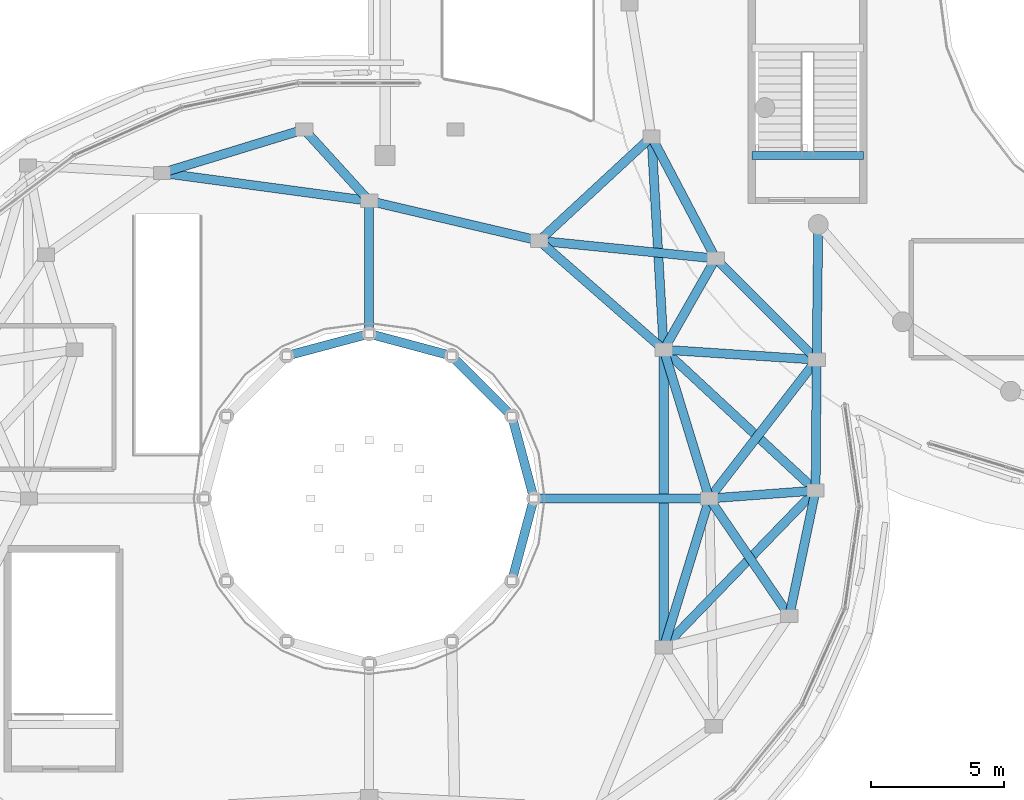
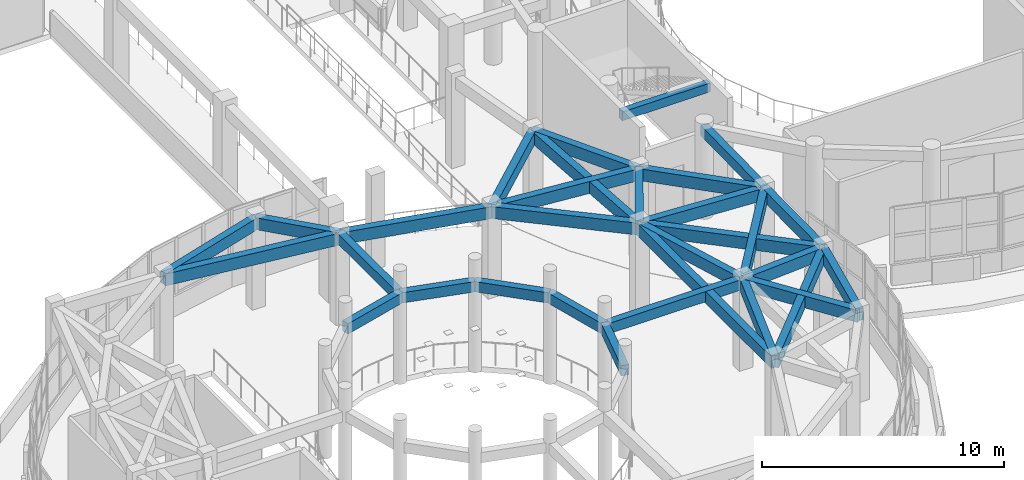
# One storey, part 14 of 98: 31 beams.
"""IFC4 building model written with IfcOpenShell, lengths in metres."""

import ifcopenshell
import ifcopenshell.guid

model = None  # the IFC model being written
_history = None  # IfcOwnerHistory: only IFC2X3 demands one
_inside = {}  # id of a spatial element -> (the spatial element, [elements in it])
_under = {}  # id of a project, library or spatial element -> (it, [spatial elements below it])
_declared = {}  # id of a project -> (the project, [libraries it declares])
_typed = {}  # id of a type object -> (the type object, [elements of that type])
_made_of = {}  # id of a material, layer set ... -> (it, [elements and type objects made of it])


def new_model(schema):
    """Start an empty IFC model of exactly this schema.

    Asked for "IFC4X3", IfcOpenShell would pick the latest addendum, in which some entities
    have other attributes; the version numbers below select the first issue.
    IFC2X3 requires an IfcOwnerHistory on every rooted entity: one is made here for all.
    """
    global model, _history
    if schema == "IFC4X3":
        model = ifcopenshell.file(schema_version=(4, 3, 0, 0))
    else:
        model = ifcopenshell.file(schema=schema)
    _inside.clear()
    _under.clear()
    _declared.clear()
    _typed.clear()
    _made_of.clear()
    _history = None
    if model.schema == "IFC2X3":
        org = make("IfcOrganization", Name="unknown")
        user = make(
            "IfcPersonAndOrganization",
            ThePerson=make("IfcPerson", FamilyName="unknown"),
            TheOrganization=org,
        )
        app = make(
            "IfcApplication",
            ApplicationDeveloper=org,
            Version="unknown",
            ApplicationFullName="unknown",
            ApplicationIdentifier="unknown",
        )
        _history = make(
            "IfcOwnerHistory",
            OwningUser=user,
            OwningApplication=app,
            ChangeAction="ADDED",
            CreationDate=0,
        )
    return model


def make(cls, **values):
    """One entity of the class cls with the attributes given. An attribute that is None is left unset."""
    return model.create_entity(
        cls, **{name: value for name, value in values.items() if value is not None}
    )


def rooted(cls, **values):
    """An entity with a GlobalId (a new one), such as an element, a storey or a relation."""
    return make(cls, GlobalId=ifcopenshell.guid.new(), OwnerHistory=_history, **values)


def si_unit(unit_type, name, prefix=None):
    """IfcSIUnit, for example si_unit("LENGTHUNIT", "METRE", prefix="MILLI")."""
    return make("IfcSIUnit", UnitType=unit_type, Prefix=prefix, Name=name)


def assignment(units):
    """IfcUnitAssignment: the units of a project."""
    return None if units is None else make("IfcUnitAssignment", Units=units)


def point(xyz):
    """IfcCartesianPoint."""
    return None if xyz is None else make("IfcCartesianPoint", Coordinates=xyz)


def direction(xyz):
    """IfcDirection."""
    return None if xyz is None else make("IfcDirection", DirectionRatios=xyz)


def frame(location, z_axis=None, x_axis=None):
    """IfcAxis2Placement3D, a coordinate frame: its origin and axes. An axis left out is left unset."""
    return make(
        "IfcAxis2Placement3D",
        Location=point(location),
        Axis=direction(z_axis),
        RefDirection=direction(x_axis),
    )


def frame_2d(location, x_axis=None):
    """IfcAxis2Placement2D, a coordinate frame in the plane: its origin and x axis."""
    return make(
        "IfcAxis2Placement2D", Location=point(location), RefDirection=direction(x_axis)
    )


def origin():
    """The frame at (0, 0, 0) with its axes left unset."""
    return frame((0.0, 0.0, 0.0))


def origin_2d():
    """The frame at (0, 0) in the plane with its x axis left unset."""
    return frame_2d((0.0, 0.0))


def place(relative_to, where):
    """IfcLocalPlacement: puts the frame where relative to a parent placement (None: the world)."""
    return make(
        "IfcLocalPlacement", PlacementRelTo=relative_to, RelativePlacement=where
    )


def context(
    kind, dimensions, precision=None, world=None, true_north=None, identifier=None
):
    """IfcGeometricRepresentationContext, for example the 3D "Model" context."""
    return make(
        "IfcGeometricRepresentationContext",
        ContextIdentifier=identifier,
        ContextType=kind,
        CoordinateSpaceDimension=dimensions,
        Precision=precision,
        WorldCoordinateSystem=world,
        TrueNorth=true_north,
    )


def subcontext(parent, identifier, kind, view, scale=None):
    """IfcGeometricRepresentationSubContext, for example "Body" below "Model"."""
    return make(
        "IfcGeometricRepresentationSubContext",
        ContextIdentifier=identifier,
        ContextType=kind,
        ParentContext=parent,
        TargetScale=scale,
        TargetView=view,
    )


def project(units=None, contexts=None):
    """IfcProject with its units and contexts."""
    return rooted(
        "IfcProject",
        Name="project",
        RepresentationContexts=contexts,
        UnitsInContext=assignment(units),
    )


def spatial(cls, under=None, at=None, **own):
    """A site, building, storey or space (cls), placed at a placement, below another one or the project."""
    s = rooted(cls, ObjectPlacement=at, **own)
    if under is not None:
        _under.setdefault(under.id(), (under, []))[1].append(s)
    return s


def profile(cls, at=None, kind="AREA", **sizes):
    """A parametric profile (cls). Its sizes go by their IFC names, for example OverallWidth=200.0."""
    return make(cls, ProfileType=kind, Position=at, **sizes)


def rectangle(**sizes):
    """IfcRectangleProfileDef."""
    return profile("IfcRectangleProfileDef", **sizes)


def extrude(swept, where, along, depth):
    """IfcExtrudedAreaSolid: the profile swept, set in the frame where, extruded along a direction by depth."""
    return make(
        "IfcExtrudedAreaSolid",
        SweptArea=swept,
        Position=where,
        ExtrudedDirection=direction(along),
        Depth=depth,
    )


def shape(context_of_items, identifier, shape_type, items):
    """IfcShapeRepresentation: the items that make up one representation, for example the "Body"."""
    return make(
        "IfcShapeRepresentation",
        ContextOfItems=context_of_items,
        RepresentationIdentifier=identifier,
        RepresentationType=shape_type,
        Items=items,
    )


def material(Name=None, Category=None):
    """IfcMaterial."""
    return make("IfcMaterial", Name=Name, Category=Category)


def material_profile(
    of_material, cross_section, Name=None, Category=None, Priority=None
):
    """IfcMaterialProfile: a cross section and its material."""
    return make(
        "IfcMaterialProfile",
        Name=Name,
        Material=of_material,
        Profile=cross_section,
        Priority=Priority,
        Category=Category,
    )


def profile_set(profiles, Name=None, composite=None):
    """IfcMaterialProfileSet."""
    return make(
        "IfcMaterialProfileSet",
        Name=Name,
        MaterialProfiles=profiles,
        CompositeProfile=composite,
    )


def made_of(thing, what):
    """Note that an element or type object is made of a material, layer set ...; save() writes the relation."""
    if what is not None:
        _made_of.setdefault(what.id(), (what, []))[1].append(thing)
    return thing


def type_object(cls, material=None, **own):
    """A type object (cls), such as IfcWallType, which elements share."""
    return made_of(rooted(cls, **own), material)


def element(
    cls,
    number,
    at=None,
    inside=None,
    cuts=None,
    type_object=None,
    material=None,
    context=None,
    identifier="Body",
    shape_type=None,
    held_by="IfcProductDefinitionShape",
    body=None,
    shapes=None,
    **own,
):
    """One element of the class cls, such as IfcWall. Its Tag is "e" and its number.

    at: its placement. inside: the storey or other place that contains it. cuts: it is an
    opening in that element (IfcRelVoidsElement). A single representation is given by context,
    identifier, shape_type and body (its items); several are given by shapes. held_by: the class
    of the entity that holds the representations. save() writes the other relations.
    """
    e = rooted(cls, Tag="e%d" % number, ObjectPlacement=at, **own)
    if body is not None:
        shapes = [shape(context, identifier, shape_type, body)]
    if shapes is not None:
        e.Representation = make(held_by, Representations=shapes)
    if inside is not None:
        _inside.setdefault(inside.id(), (inside, []))[1].append(e)
    if cuts is not None:
        rooted(
            "IfcRelVoidsElement", RelatingBuildingElement=cuts, RelatedOpeningElement=e
        )
    if type_object is not None:
        _typed.setdefault(type_object.id(), (type_object, []))[1].append(e)
    return made_of(e, material)


def aggregate(whole, parts):
    """IfcRelAggregates: a whole, such as a stair, and the parts it consists of."""
    return rooted("IfcRelAggregates", RelatingObject=whole, RelatedObjects=parts)


def save(model, path):
    """Write the relations noted so far, then the file.

    IfcRelAggregates (storeys below a building ...), IfcRelContainedInSpatialStructure (elements
    in a storey), IfcRelDefinesByType, IfcRelAssociatesMaterial and IfcRelDeclares: one each for
    every whole, place, type object, material and project.
    """
    for whole, parts in _under.values():
        aggregate(whole, parts)
    for where, things in _inside.values():
        rooted(
            "IfcRelContainedInSpatialStructure",
            RelatedElements=things,
            RelatingStructure=where,
        )
    for kind, things in _typed.values():
        rooted("IfcRelDefinesByType", RelatedObjects=things, RelatingType=kind)
    for what, things in _made_of.values():
        rooted("IfcRelAssociatesMaterial", RelatedObjects=things, RelatingMaterial=what)
    for by, libraries in _declared.values():
        rooted("IfcRelDeclares", RelatingContext=by, RelatedDefinitions=libraries)
    model.write(path)


model = new_model("IFC4")

# Units and contexts
model_context = context("Model", 3, precision=1e-05, world=origin(), true_north=direction((0.0, 1.0)))
body_context = subcontext(model_context, "Body", "Model", "MODEL_VIEW")
ifc_project = project(units=[si_unit("LENGTHUNIT", "METRE"), si_unit("AREAUNIT", "SQUARE_METRE"), si_unit("VOLUMEUNIT", "CUBIC_METRE"), si_unit("PLANEANGLEUNIT", "RADIAN"), si_unit("MASSUNIT", "GRAM", prefix="KILO")], contexts=[model_context])

# Site, building, storey
site_placement = place(None, origin())
site = spatial("IfcSite", under=ifc_project, at=site_placement, CompositionType="ELEMENT")
building_placement = place(site_placement, origin())
building = spatial("IfcBuilding", under=site, at=building_placement, Name="Pelvatis Terrace Science Centre", CompositionType="ELEMENT")
storey_placement = place(building_placement, frame((0.0, 0.0, 5.39990234375)))
storey = spatial("IfcBuildingStorey", under=building, at=storey_placement, Name="L01", CompositionType="ELEMENT", Elevation=5.39990234375)

# Beams
ifc_material_1 = material(Name="Concrete C35/45", Category="concrete")
ifc_material_profile_1 = material_profile(ifc_material_1, rectangle(XDim=0.300048828125, YDim=0.449951171875, at=origin_2d()), Name="RC-BM 300x450")
ifc_profile_set_1 = profile_set([ifc_material_profile_1], Name="Concrete C35/45")
beam_type_1 = type_object("IfcBeamType", Name="BM-RC-300x450", PredefinedType="BEAM", material=ifc_profile_set_1)
beam_1_placement = place(storey_placement, frame((61.199951171875, 48.0, 4.320068359375), z_axis=(1.0, 0.0, 0.0), x_axis=(0.0, 1.0, 0.0)))
element("IfcBeam", 1, at=beam_1_placement, inside=storey, type_object=beam_type_1, Name="Stair ST-05 header beam (L01)", PredefinedType="BEAM", context=body_context, shape_type="SweptSolid", body=[
    extrude(rectangle(XDim=0.300048828125, YDim=0.449951171875, at=origin_2d()), origin(), (0.0, 0.0, 1.0), 4.199951171875),
])
ifc_material_2 = material(Name="Concrete C35/45", Category="concrete")
ifc_material_profile_2 = material_profile(ifc_material_2, rectangle(XDim=0.340087890625, YDim=0.52001953125, at=origin_2d()), Name="RC-BM 340x520")
ifc_profile_set_2 = profile_set([ifc_material_profile_2], Name="Concrete C35/45")
beam_type_2 = type_object("IfcBeamType", Name="BM-RC-340x520", PredefinedType="BEAM", material=ifc_profile_set_2)
beam_2_placement = place(storey_placement, frame((63.69873046875, 45.4091796875, 4.280029296875), z_axis=(-0.011375991937, -0.99993529131, 0.0), x_axis=(0.99993529131, -0.011375991937, 0.0)))
element("IfcBeam", 2, at=beam_2_placement, inside=storey, type_object=beam_type_2, Name="Beam BM-L01-2577", PredefinedType="BEAM", context=body_context, shape_type="SweptSolid", body=[
    extrude(rectangle(XDim=0.340087890625, YDim=0.52001953125, at=origin_2d()), origin(), (0.0, 0.0, 1.0), 5.086181640625),
])
beam_3_placement = place(storey_placement, frame((53.0, 35.10009765625, 4.280029296875), z_axis=(-0.258808334578, 0.965928696102, 0.0), x_axis=(-0.965928696102, -0.258808334578, 0.0)))
element("IfcBeam", 3, at=beam_3_placement, inside=storey, type_object=beam_type_2, Name="Beam BM-L01-2585", PredefinedType="BEAM", context=body_context, shape_type="SweptSolid", body=[
    extrude(rectangle(XDim=0.340087890625, YDim=0.52001953125, at=origin_2d()), origin(), (0.0, 0.0, 1.0), 3.209228515625),
])
beam_4_placement = place(storey_placement, frame((53.0, 35.10009765625, 4.280029296875), z_axis=(-0.258789317819, -0.9659337912, 0.0), x_axis=(0.9659337912, -0.258789317819, 0.0)))
element("IfcBeam", 4, at=beam_4_placement, inside=storey, type_object=beam_type_2, Name="Beam BM-L01-2586", PredefinedType="BEAM", context=body_context, shape_type="SweptSolid", body=[
    extrude(rectangle(XDim=0.340087890625, YDim=0.52001953125, at=origin_2d()), origin(), (0.0, 0.0, 1.0), 3.20947265625),
])
beam_5_placement = place(storey_placement, frame((53.0, 35.10009765625, 4.280029296875), z_axis=(1.0, 0.0, 0.0), x_axis=(0.0, 1.0, 0.0)))
element("IfcBeam", 5, at=beam_5_placement, inside=storey, type_object=beam_type_2, Name="Beam BM-L01-2587", PredefinedType="BEAM", context=body_context, shape_type="SweptSolid", body=[
    extrude(rectangle(XDim=0.340087890625, YDim=0.52001953125, at=origin_2d()), origin(), (0.0, 0.0, 1.0), 6.60009765625),
])
beam_6_placement = place(storey_placement, frame((52.16943359375, 38.199951171875, 4.280029296875), z_axis=(-0.707106781187, 0.707106781187, 0.0), x_axis=(-0.707106781187, -0.707106781187, 0.0)))
element("IfcBeam", 6, at=beam_6_placement, inside=storey, type_object=beam_type_2, Name="Beam BM-L01-2588", PredefinedType="BEAM", context=body_context, shape_type="SweptSolid", body=[
    extrude(rectangle(XDim=0.340087890625, YDim=0.52001953125, at=origin_2d()), origin(), (0.0, 0.0, 1.0), 3.209716796875),
])
beam_7_placement = place(storey_placement, frame((49.89990234375, 40.469482421875, 4.280029296875), z_axis=(-0.965928696102, 0.258808334578, 0.0), x_axis=(-0.258808334578, -0.965928696102, 0.0)))
element("IfcBeam", 7, at=beam_7_placement, inside=storey, type_object=beam_type_2, Name="Beam BM-L01-2589", PredefinedType="BEAM", context=body_context, shape_type="SweptSolid", body=[
    extrude(rectangle(XDim=0.340087890625, YDim=0.52001953125, at=origin_2d()), origin(), (0.0, 0.0, 1.0), 3.209228515625),
])
beam_8_placement = place(storey_placement, frame((46.800048828125, 41.300048828125, 4.280029296875), z_axis=(-0.9659337912, -0.258789317819, 0.0), x_axis=(0.258789317819, -0.9659337912, 0.0)))
element("IfcBeam", 8, at=beam_8_placement, inside=storey, type_object=beam_type_2, Name="Beam BM-L01-2590", PredefinedType="BEAM", context=body_context, shape_type="SweptSolid", body=[
    extrude(rectangle(XDim=0.340087890625, YDim=0.52001953125, at=origin_2d()), origin(), (0.0, 0.0, 1.0), 3.20947265625),
])
beam_9_placement = place(storey_placement, frame((46.800048828125, 41.300048828125, 4.280029296875), z_axis=(0.0, 1.0, 0.0), x_axis=(-1.0, 0.0, 0.0)))
element("IfcBeam", 9, at=beam_9_placement, inside=storey, type_object=beam_type_2, Name="Beam BM-L01-2591", PredefinedType="BEAM", context=body_context, shape_type="SweptSolid", body=[
    extrude(rectangle(XDim=0.340087890625, YDim=0.52001953125, at=origin_2d()), origin(), (0.0, 0.0, 1.0), 5.0),
])
ifc_material_3 = material(Name="Concrete C35/45", Category="concrete")
ifc_material_profile_3 = material_profile(ifc_material_3, rectangle(XDim=0.340087890625, YDim=0.60009765625, at=origin_2d()), Name="RC-SPN 340x600")
ifc_profile_set_3 = profile_set([ifc_material_profile_3], Name="Concrete C35/45")
beam_type_3 = type_object("IfcBeamType", Name="SPN-RC-340x600", PredefinedType="SPANDREL", material=ifc_profile_set_3)
beam_10_placement = place(storey_placement, frame((57.42626953125, 48.71337890625, 4.239990234375), z_axis=(0.465765862299, -0.884907996075, 0.0), x_axis=(0.884907996075, 0.465765862299, 0.0)))
element("IfcBeam", 10, at=beam_10_placement, inside=storey, type_object=beam_type_3, Name="Spandrel SP-L01-2666", PredefinedType="SPANDREL", context=body_context, shape_type="SweptSolid", body=[
    extrude(rectangle(XDim=0.340087890625, YDim=0.60009765625, at=origin_2d()), origin(), (0.0, 0.0, 1.0), 5.1787109375),
])
beam_11_placement = place(storey_placement, frame((57.42626953125, 48.71337890625, 4.239990234375), z_axis=(0.057152870229, -0.998365438817, 0.0), x_axis=(0.998365438817, 0.057152870229, 0.0)))
element("IfcBeam", 11, at=beam_11_placement, inside=storey, type_object=beam_type_3, Name="Spandrel SP-L01-2667", PredefinedType="SPANDREL", context=body_context, shape_type="SweptSolid", body=[
    extrude(rectangle(XDim=0.340087890625, YDim=0.60009765625, at=origin_2d()), origin(), (0.0, 0.0, 1.0), 8.026611328125),
])
beam_12_placement = place(storey_placement, frame((57.42626953125, 48.71337890625, 4.239990234375), z_axis=(-0.733712152617, -0.679460430859, 0.0), x_axis=(0.679460430859, -0.733712152617, 0.0)))
element("IfcBeam", 12, at=beam_12_placement, inside=storey, type_object=beam_type_3, Name="Spandrel SP-L01-2668", PredefinedType="SPANDREL", context=body_context, shape_type="SweptSolid", body=[
    extrude(rectangle(XDim=0.340087890625, YDim=0.60009765625, at=origin_2d()), origin(), (0.0, 0.0, 1.0), 5.76025390625),
])
beam_13_placement = place(storey_placement, frame((59.83837890625, 44.130615234375, 4.239990234375), z_axis=(0.706652925883, -0.707560345371, 0.0), x_axis=(0.707560345371, 0.706652925883, 0.0)))
element("IfcBeam", 13, at=beam_13_placement, inside=storey, type_object=beam_type_3, Name="Spandrel SP-L01-2669", PredefinedType="SPANDREL", context=body_context, shape_type="SweptSolid", body=[
    extrude(rectangle(XDim=0.340087890625, YDim=0.60009765625, at=origin_2d()), origin(), (0.0, 0.0, 1.0), 5.381103515625),
])
beam_14_placement = place(storey_placement, frame((59.83837890625, 44.130615234375, 4.239990234375), z_axis=(-0.49479970219, -0.869007051015, 0.0), x_axis=(0.869007051015, -0.49479970219, 0.0)))
element("IfcBeam", 14, at=beam_14_placement, inside=storey, type_object=beam_type_3, Name="Spandrel SP-L01-2670", PredefinedType="SPANDREL", context=body_context, shape_type="SweptSolid", body=[
    extrude(rectangle(XDim=0.340087890625, YDim=0.60009765625, at=origin_2d()), origin(), (0.0, 0.0, 1.0), 3.94775390625),
])
beam_15_placement = place(storey_placement, frame((59.83837890625, 44.130615234375, 4.239990234375), z_axis=(-0.994961182936, 0.100260881955, 0.0), x_axis=(-0.100260881955, -0.994961182936, 0.0)))
element("IfcBeam", 15, at=beam_15_placement, inside=storey, type_object=beam_type_3, Name="Spandrel SP-L01-2671", PredefinedType="SPANDREL", context=body_context, shape_type="SweptSolid", body=[
    extrude(rectangle(XDim=0.340087890625, YDim=0.60009765625, at=origin_2d()), origin(), (0.0, 0.0, 1.0), 6.672119140625),
])
beam_16_placement = place(storey_placement, frame((63.640869140625, 40.3232421875, 4.239990234375), z_axis=(-0.008280981549, -0.999965712084, 0.0), x_axis=(0.999965712084, -0.008280981549, 0.0)))
element("IfcBeam", 16, at=beam_16_placement, inside=storey, type_object=beam_type_3, Name="Spandrel SP-L01-2672", PredefinedType="SPANDREL", context=body_context, shape_type="SweptSolid", body=[
    extrude(rectangle(XDim=0.340087890625, YDim=0.60009765625, at=origin_2d()), origin(), (0.0, 0.0, 1.0), 4.923583984375),
])
beam_17_placement = place(storey_placement, frame((63.640869140625, 40.3232421875, 4.239990234375), z_axis=(-0.611893533113, -0.790940139413, 0.0), x_axis=(0.790940139413, -0.611893533113, 0.0)))
element("IfcBeam", 17, at=beam_17_placement, inside=storey, type_object=beam_type_3, Name="Spandrel SP-L01-2673", PredefinedType="SPANDREL", context=body_context, shape_type="SweptSolid", body=[
    extrude(rectangle(XDim=0.340087890625, YDim=0.60009765625, at=origin_2d()), origin(), (0.0, 0.0, 1.0), 6.603759765625),
])
beam_18_placement = place(storey_placement, frame((63.640869140625, 40.3232421875, 4.239990234375), z_axis=(-0.997865141278, 0.065308191084, 0.0), x_axis=(-0.065308191084, -0.997865141278, 0.0)))
element("IfcBeam", 18, at=beam_18_placement, inside=storey, type_object=beam_type_3, Name="Spandrel SP-L01-2674", PredefinedType="SPANDREL", context=body_context, shape_type="SweptSolid", body=[
    extrude(rectangle(XDim=0.340087890625, YDim=0.60009765625, at=origin_2d()), origin(), (0.0, 0.0, 1.0), 5.76806640625),
])
beam_19_placement = place(storey_placement, frame((63.60009765625, 35.39990234375, 4.239990234375), z_axis=(-0.205094384984, -0.978742199585, 0.0), x_axis=(0.978742199585, -0.205094384984, 0.0)))
element("IfcBeam", 19, at=beam_19_placement, inside=storey, type_object=beam_type_3, Name="Spandrel SP-L01-2675", PredefinedType="SPANDREL", context=body_context, shape_type="SweptSolid", body=[
    extrude(rectangle(XDim=0.340087890625, YDim=0.60009765625, at=origin_2d()), origin(), (0.0, 0.0, 1.0), 4.822265625),
])
beam_20_placement = place(storey_placement, frame((63.60009765625, 35.39990234375, 4.239990234375), z_axis=(-0.997202940152, -0.074741528962, 0.0), x_axis=(0.074741528962, -0.997202940152, 0.0)))
element("IfcBeam", 20, at=beam_20_placement, inside=storey, type_object=beam_type_3, Name="Spandrel SP-L01-2676", PredefinedType="SPANDREL", context=body_context, shape_type="SweptSolid", body=[
    extrude(rectangle(XDim=0.340087890625, YDim=0.60009765625, at=origin_2d()), origin(), (0.0, 0.0, 1.0), 4.01123046875),
])
beam_21_placement = place(storey_placement, frame((63.60009765625, 35.39990234375, 4.239990234375), z_axis=(-0.73322953973, 0.679981207143, 0.0), x_axis=(-0.679981207143, -0.73322953973, 0.0)))
element("IfcBeam", 21, at=beam_21_placement, inside=storey, type_object=beam_type_3, Name="Spandrel SP-L01-2677", PredefinedType="SPANDREL", context=body_context, shape_type="SweptSolid", body=[
    extrude(rectangle(XDim=0.340087890625, YDim=0.60009765625, at=origin_2d()), origin(), (0.0, 0.0, 1.0), 7.79443359375),
])
beam_22_placement = place(storey_placement, frame((63.60009765625, 35.39990234375, 4.239990234375), z_axis=(-0.695767424657, -0.718267144443, 0.0), x_axis=(0.718267144443, -0.695767424657, 0.0)))
element("IfcBeam", 22, at=beam_22_placement, inside=storey, type_object=beam_type_3, Name="Spandrel SP-L01-2678", PredefinedType="SPANDREL", context=body_context, shape_type="SweptSolid", body=[
    extrude(rectangle(XDim=0.340087890625, YDim=0.60009765625, at=origin_2d()), origin(), (0.0, 0.0, 1.0), 8.214111328125),
])
beam_23_placement = place(storey_placement, frame((44.352294921875, 48.990234375, 4.239990234375), z_axis=(-0.95617703215, -0.292789144589, 0.0), x_axis=(0.292789144589, -0.95617703215, 0.0)))
element("IfcBeam", 23, at=beam_23_placement, inside=storey, type_object=beam_type_3, Name="Spandrel SP-L01-2679", PredefinedType="SPANDREL", context=body_context, shape_type="SweptSolid", body=[
    extrude(rectangle(XDim=0.340087890625, YDim=0.60009765625, at=origin_2d()), origin(), (0.0, 0.0, 1.0), 5.59765625),
])
beam_24_placement = place(storey_placement, frame((44.352294921875, 48.990234375, 4.239990234375), z_axis=(0.672993472034, -0.73964842094, 0.0), x_axis=(0.73964842094, 0.672993472034, 0.0)))
element("IfcBeam", 24, at=beam_24_placement, inside=storey, type_object=beam_type_3, Name="Spandrel SP-L01-2680", PredefinedType="SPANDREL", context=body_context, shape_type="SweptSolid", body=[
    extrude(rectangle(XDim=0.340087890625, YDim=0.60009765625, at=origin_2d()), origin(), (0.0, 0.0, 1.0), 3.63720703125),
])
beam_25_placement = place(storey_placement, frame((39.0, 47.351318359375, 4.239990234375), z_axis=(0.991039432393, -0.133569620204, 0.0), x_axis=(0.133569620204, 0.991039432393, 0.0)))
element("IfcBeam", 25, at=beam_25_placement, inside=storey, type_object=beam_type_3, Name="Spandrel SP-L01-2683", PredefinedType="SPANDREL", context=body_context, shape_type="SweptSolid", body=[
    extrude(rectangle(XDim=0.340087890625, YDim=0.60009765625, at=origin_2d()), origin(), (0.0, 0.0, 1.0), 7.87060546875),
])
beam_26_placement = place(storey_placement, frame((62.611083984375, 30.68017578125, 4.239990234375), z_axis=(-0.563005315538, 0.826453274345, 0.0), x_axis=(-0.826453274345, -0.563005315538, 0.0)))
element("IfcBeam", 26, at=beam_26_placement, inside=storey, type_object=beam_type_3, Name="Spandrel SP-L01-2708", PredefinedType="SPANDREL", context=body_context, shape_type="SweptSolid", body=[
    extrude(rectangle(XDim=0.340087890625, YDim=0.60009765625, at=origin_2d()), origin(), (0.0, 0.0, 1.0), 5.34814453125),
])
beam_27_placement = place(storey_placement, frame((59.60009765625, 35.10009765625, 4.239990234375), z_axis=(-0.292846503557, 0.956159466488, 0.0), x_axis=(-0.956159466488, -0.292846503557, 0.0)))
element("IfcBeam", 27, at=beam_27_placement, inside=storey, type_object=beam_type_3, Name="Spandrel SP-L01-2711", PredefinedType="SPANDREL", context=body_context, shape_type="SweptSolid", body=[
    extrude(rectangle(XDim=0.340087890625, YDim=0.60009765625, at=origin_2d()), origin(), (0.0, 0.0, 1.0), 5.856689453125),
])
beam_28_placement = place(storey_placement, frame((59.60009765625, 35.10009765625, 4.239990234375), z_axis=(-0.292834831495, -0.956163041256, 0.0), x_axis=(0.956163041256, -0.292834831495, 0.0)))
element("IfcBeam", 28, at=beam_28_placement, inside=storey, type_object=beam_type_3, Name="Spandrel SP-L01-2712", PredefinedType="SPANDREL", context=body_context, shape_type="SweptSolid", body=[
    extrude(rectangle(XDim=0.340087890625, YDim=0.60009765625, at=origin_2d()), origin(), (0.0, 0.0, 1.0), 5.85693359375),
])
beam_29_placement = place(storey_placement, frame((57.885009765625, 40.699951171875, 4.239990234375), z_axis=(-0.752562118527, 0.658521265988, 0.0), x_axis=(-0.658521265988, -0.752562118527, 0.0)))
element("IfcBeam", 29, at=beam_29_placement, inside=storey, type_object=beam_type_3, Name="Spandrel SP-L01-2713", PredefinedType="SPANDREL", context=body_context, shape_type="SweptSolid", body=[
    extrude(rectangle(XDim=0.340087890625, YDim=0.60009765625, at=origin_2d()), origin(), (0.0, 0.0, 1.0), 6.2255859375),
])
beam_30_placement = place(storey_placement, frame((57.885009765625, 40.699951171875, 4.239990234375), z_axis=(0.0, -1.0, 0.0), x_axis=(1.0, 0.0, 0.0)))
element("IfcBeam", 30, at=beam_30_placement, inside=storey, type_object=beam_type_3, Name="Spandrel SP-L01-2714", PredefinedType="SPANDREL", context=body_context, shape_type="SweptSolid", body=[
    extrude(rectangle(XDim=0.340087890625, YDim=0.60009765625, at=origin_2d()), origin(), (0.0, 0.0, 1.0), 11.199951171875),
])
beam_31_placement = place(storey_placement, frame((53.199951171875, 44.799560546875, 4.239990234375), z_axis=(-0.973599031163, 0.228265035688, 0.0), x_axis=(-0.228265035688, -0.973599031163, 0.0)))
element("IfcBeam", 31, at=beam_31_placement, inside=storey, type_object=beam_type_3, Name="Spandrel SP-L01-2715", PredefinedType="SPANDREL", context=body_context, shape_type="SweptSolid", body=[
    extrude(rectangle(XDim=0.340087890625, YDim=0.60009765625, at=origin_2d()), origin(), (0.0, 0.0, 1.0), 6.573486328125),
])

save(model, "model.ifc")
